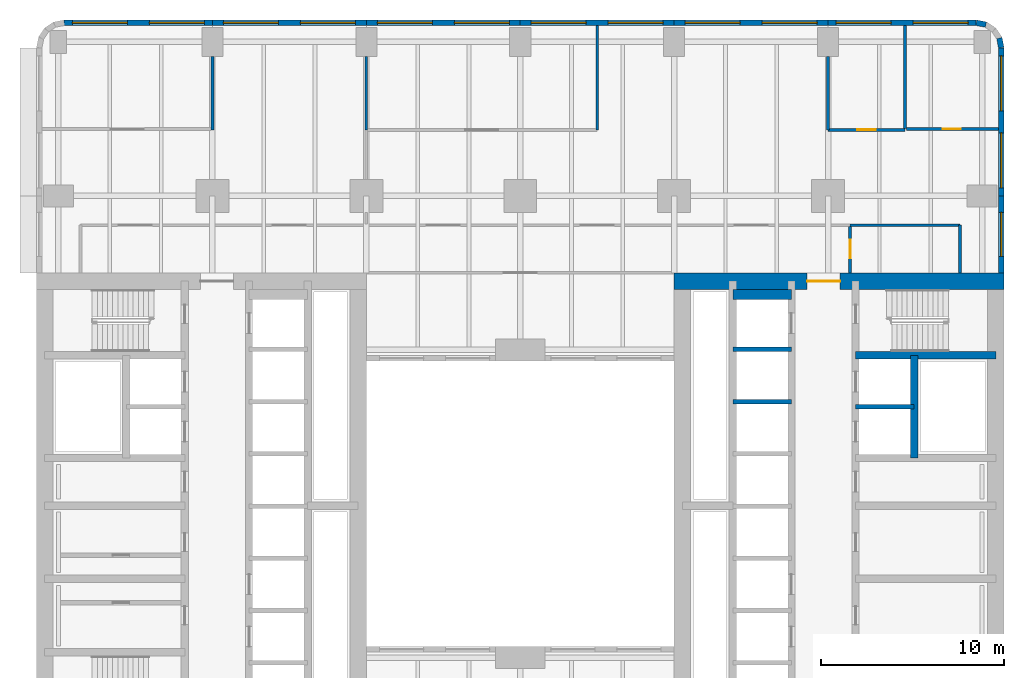
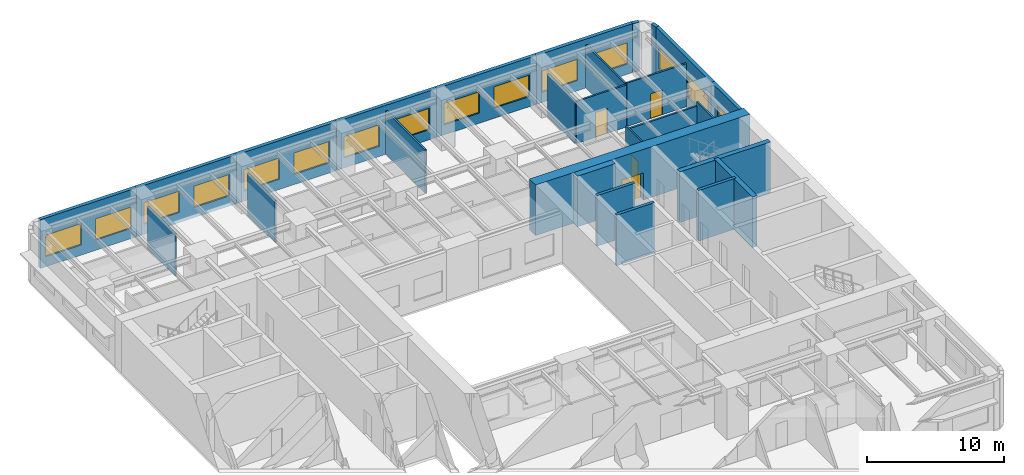
# One storey, part 7 of 12: 27 walls, 15 windows, 4 doors, 19 openings.
"""IFC4 building model written with IfcOpenShell, lengths in metres."""

from ifc_helpers import new_model, si_unit, direction, frame, frame_2d, origin, place, context, subcontext, project, spatial, rectangle, extrude, material, layer, layer_set, type_object, element, fill, save


model = new_model("IFC4")

# Units and contexts
model_context = context("Model", 3, precision=1e-05, world=origin(), true_north=direction((0.0, 1.0)))
body_context = subcontext(model_context, "Body", "Model", "MODEL_VIEW")
ifc_project = project(units=[si_unit("LENGTHUNIT", "METRE"), si_unit("AREAUNIT", "SQUARE_METRE"), si_unit("VOLUMEUNIT", "CUBIC_METRE"), si_unit("PLANEANGLEUNIT", "RADIAN"), si_unit("MASSUNIT", "GRAM", prefix="KILO")], contexts=[model_context])

# Site, building, storey
site_placement = place(None, origin())
site = spatial("IfcSite", under=ifc_project, at=site_placement, CompositionType="ELEMENT")
building_placement = place(site_placement, origin())
building = spatial("IfcBuilding", under=site, at=building_placement, Name="Claustro Exchange Tower", CompositionType="ELEMENT")
storey_placement = place(building_placement, frame((0.0, 0.0, 68.39990234375)))
storey = spatial("IfcBuildingStorey", under=building, at=storey_placement, Name="L15", CompositionType="ELEMENT", Elevation=68.39990234375)

# Walls
ifc_material_1 = material(Name="Gypsum board on steel studs", Category="steel")
ifc_layer_1 = layer(ifc_material_1, 0.14990234375)
ifc_layer_set_1 = layer_set([ifc_layer_1], Name="Gypsum board on steel studs")
wall_type_1 = type_object("IfcWallType", Name="P1 150 plasterboard partition", PredefinedType="PARTITIONING", material=ifc_layer_set_1)
wall_1_placement = place(storey_placement, frame((8.39990234375, 45.60009765625, 0.0), z_axis=(0.0, 0.0, 1.0), x_axis=(0.0, 1.0, 0.0)))
element("IfcWall", 1, at=wall_1_placement, inside=storey, type_object=wall_type_1, Name="Partition P1 L15", PredefinedType="PARTITIONING", context=body_context, shape_type="SweptSolid", body=[
    extrude(rectangle(XDim=4.0009765625, YDim=0.14990234375, at=frame_2d((2.00048828125, 0.0))), origin(), (0.0, 0.0, 1.0), 3.739990234375),
])
wall_2_placement = place(storey_placement, frame((16.800048828125, 45.597900390625, 0.0), z_axis=(0.0, 0.0, 1.0), x_axis=(0.0, 1.0, 0.0)))
element("IfcWall", 2, at=wall_2_placement, inside=storey, type_object=wall_type_1, Name="Partition P1 L15", PredefinedType="PARTITIONING", context=body_context, shape_type="SweptSolid", body=[
    extrude(rectangle(XDim=4.003173828125, YDim=0.14990234375, at=frame_2d((2.00146484375, 0.0))), origin(), (0.0, 0.0, 1.0), 3.739990234375),
])
wall_3_placement = place(storey_placement, frame((29.39990234375, 45.60009765625, 0.0), z_axis=(0.0, 0.0, 1.0), x_axis=(0.0, 1.0, 0.0)))
element("IfcWall", 3, at=wall_3_placement, inside=storey, type_object=wall_type_1, Name="Partition P1 L15", PredefinedType="PARTITIONING", context=body_context, shape_type="SweptSolid", body=[
    extrude(rectangle(XDim=5.701904296875, YDim=0.14990234375, at=frame_2d((2.85107421875, 0.0))), origin(), (0.0, 0.0, 1.0), 3.840087890625),
])

# Wall, opening, door
wall_4_placement = place(storey_placement, frame((46.27392578125, 45.64990234375, 0.0), z_axis=(0.0, 0.0, 1.0), x_axis=(1.0, 0.0, 0.0)))
wall_4 = element("IfcWall", 4, at=wall_4_placement, inside=storey, type_object=wall_type_1, Name="Partition P1 L15", PredefinedType="PARTITIONING", context=body_context, shape_type="SweptSolid", body=[
    extrude(rectangle(XDim=5.028076171875, YDim=0.14990234375, at=frame_2d((2.51416015625, 0.0))), origin(), (0.0, 0.0, 1.0), 3.840087890625),
])
opening_1_placement = place(wall_4_placement, frame((1.97607421875, 0.0, 0.0)))
opening_1 = element("IfcOpeningElement", 5, at=opening_1_placement, cuts=wall_4, Name="Opening D1", PredefinedType="OPENING", context=body_context, shape_type="SweptSolid", body=[
    extrude(rectangle(XDim=1.0, YDim=2.199951171875, at=frame_2d((0.5, 1.10009765625))), frame((0.0, 0.0849609375, 0.0), z_axis=(0.0, -1.0, 0.0), x_axis=(1.0, 0.0, 0.0)), (0.0, 0.0, 1.0), 0.169921875),
])
ifc_material_2 = material(Name="Timber door, oak veneer", Category="wood")
door_type_1 = type_object("IfcDoorType", Name="D1 1000 x 2200 single door", OperationType="SINGLE_SWING_LEFT", PredefinedType="DOOR", material=ifc_material_2)
door_1_placement = place(opening_1_placement, origin())
door_1 = element("IfcDoor", 6, at=door_1_placement, inside=storey, type_object=door_type_1, Name="Door D1 L15", OperationType="SINGLE_SWING_LEFT", OverallHeight=2.199951171875, OverallWidth=1.0, PredefinedType="DOOR", context=body_context, shape_type="SweptSolid", body=[
    extrude(rectangle(XDim=1.0, YDim=2.199951171875, at=frame_2d((0.5, 1.10009765625))), frame((0.0, 0.02490234375, 0.0), z_axis=(0.0, -1.0, 0.0), x_axis=(1.0, 0.0, 0.0)), (0.0, 0.0, 1.0), 0.050048828125),
])
fill(opening_1, door_1)

wall_5_placement = place(storey_placement, frame((42.0, 45.60009765625, 0.0), z_axis=(0.0, 0.0, 1.0), x_axis=(1.0, 0.0, 0.0)))
wall_5 = element("IfcWall", 7, at=wall_5_placement, inside=storey, type_object=wall_type_1, Name="Partition P1 L15", PredefinedType="PARTITIONING", context=body_context, shape_type="SweptSolid", body=[
    extrude(rectangle(XDim=4.201904296875, YDim=0.14990234375, at=frame_2d((2.10107421875, 0.0))), origin(), (0.0, 0.0, 1.0), 3.739990234375),
])
opening_2_placement = place(wall_5_placement, frame((1.60009765625, 0.0, 0.0)))
opening_2 = element("IfcOpeningElement", 8, at=opening_2_placement, cuts=wall_5, Name="Opening D1", PredefinedType="OPENING", context=body_context, shape_type="SweptSolid", body=[
    extrude(rectangle(XDim=1.0, YDim=2.199951171875, at=frame_2d((0.5, 1.10009765625))), frame((0.0, 0.0849609375, 0.0), z_axis=(0.0, -1.0, 0.0), x_axis=(1.0, 0.0, 0.0)), (0.0, 0.0, 1.0), 0.169921875),
])
door_2_placement = place(opening_2_placement, origin())
door_2 = element("IfcDoor", 9, at=door_2_placement, inside=storey, type_object=door_type_1, Name="Door D1 L15", OperationType="SINGLE_SWING_LEFT", OverallHeight=2.199951171875, OverallWidth=1.0, PredefinedType="DOOR", context=body_context, shape_type="SweptSolid", body=[
    extrude(rectangle(XDim=1.0, YDim=2.199951171875, at=frame_2d((0.5, 1.10009765625))), frame((0.0, 0.02490234375, 0.0), z_axis=(0.0, -1.0, 0.0), x_axis=(1.0, 0.0, 0.0)), (0.0, 0.0, 1.0), 0.050048828125),
])
fill(opening_2, door_2)

# Walls
wall_6_placement = place(storey_placement, frame((42.0, 45.60009765625, 0.0), z_axis=(0.0, 0.0, 1.0), x_axis=(0.0, 1.0, 0.0)))
element("IfcWall", 10, at=wall_6_placement, inside=storey, type_object=wall_type_1, Name="Partition P1 L15", PredefinedType="PARTITIONING", context=body_context, shape_type="SweptSolid", body=[
    extrude(rectangle(XDim=4.0009765625, YDim=0.14990234375, at=frame_2d((2.00048828125, 0.0))), origin(), (0.0, 0.0, 1.0), 3.739990234375),
])
wall_7_placement = place(storey_placement, frame((46.199951171875, 45.674072265625, 0.0), z_axis=(0.0, 0.0, 1.0), x_axis=(0.0, 1.0, 0.0)))
element("IfcWall", 11, at=wall_7_placement, inside=storey, type_object=wall_type_1, Name="Partition P1 L15", PredefinedType="PARTITIONING", context=body_context, shape_type="SweptSolid", body=[
    extrude(rectangle(XDim=5.6279296875, YDim=0.14990234375, at=frame_2d((2.81396484375, 0.0))), origin(), (0.0, 0.0, 1.0), 3.840087890625),
])

# Wall, opening, door
wall_8_placement = place(storey_placement, frame((43.199951171875, 37.800048828125, 0.0), z_axis=(0.0, 0.0, 1.0), x_axis=(0.0, 1.0, 0.0)))
wall_8 = element("IfcWall", 12, at=wall_8_placement, inside=storey, type_object=wall_type_1, Name="Partition P1 L15", PredefinedType="PARTITIONING", context=body_context, shape_type="SweptSolid", body=[
    extrude(rectangle(XDim=2.52587890625, YDim=0.14990234375, at=frame_2d((1.262939453125, 0.0))), origin(), (0.0, 0.0, 1.0), 4.340087890625),
])
opening_3_placement = place(wall_8_placement, frame((0.800048828125, 0.0, 0.0)))
opening_3 = element("IfcOpeningElement", 13, at=opening_3_placement, cuts=wall_8, Name="Opening D1", PredefinedType="OPENING", context=body_context, shape_type="SweptSolid", body=[
    extrude(rectangle(XDim=1.0, YDim=2.199951171875, at=frame_2d((0.5, 1.10009765625))), frame((0.0, 0.0849609375, 0.0), z_axis=(0.0, -1.0, 0.0), x_axis=(1.0, 0.0, 0.0)), (0.0, 0.0, 1.0), 0.169921875),
])
door_3_placement = place(opening_3_placement, frame((1.0, 0.0, 0.0), z_axis=(0.0, 0.0, 1.0), x_axis=(-1.0, 0.0, 0.0)))
door_3 = element("IfcDoor", 14, at=door_3_placement, inside=storey, type_object=door_type_1, Name="Door D1 L15", OperationType="SINGLE_SWING_RIGHT", OverallHeight=2.199951171875, OverallWidth=1.0, PredefinedType="DOOR", context=body_context, shape_type="SweptSolid", body=[
    extrude(rectangle(XDim=1.0, YDim=2.199951171875, at=frame_2d((0.5, 1.10009765625))), frame((0.0, 0.02490234375, 0.0), z_axis=(0.0, -1.0, 0.0), x_axis=(1.0, 0.0, 0.0)), (0.0, 0.0, 1.0), 0.050048828125),
])
fill(opening_3, door_3)

# Walls
wall_9_placement = place(storey_placement, frame((43.197998046875, 40.39990234375, 0.0), z_axis=(0.0, 0.0, 1.0), x_axis=(1.0, 0.0, 0.0)))
element("IfcWall", 15, at=wall_9_placement, inside=storey, type_object=wall_type_1, Name="Partition P1 L15", PredefinedType="PARTITIONING", context=body_context, shape_type="SweptSolid", body=[
    extrude(rectangle(XDim=6.001953125, YDim=0.14990234375, at=frame_2d((3.0009765625, 0.0))), origin(), (0.0, 0.0, 1.0), 3.97998046875),
])
wall_10_placement = place(storey_placement, frame((49.199951171875, 37.800048828125, 0.0), z_axis=(0.0, 0.0, 1.0), x_axis=(0.0, 1.0, 0.0)))
element("IfcWall", 16, at=wall_10_placement, inside=storey, type_object=wall_type_1, Name="Partition P1 L15", PredefinedType="PARTITIONING", context=body_context, shape_type="SweptSolid", body=[
    extrude(rectangle(XDim=2.599853515625, YDim=0.14990234375, at=frame_2d((1.2998046875, 0.0))), origin(), (0.0, 0.0, 1.0), 4.340087890625),
])

# Wall, openings, windows
ifc_material_3 = material(Name="Concrete HA-40 (C40/50), precast, white cement, acid-etched", Category="concrete")
ifc_layer_2 = layer(ifc_material_3, 0.300048828125)
ifc_layer_set_2 = layer_set([ifc_layer_2], Name="Concrete HA-40 (C40/50), precast, white cement, acid-etched")
wall_type_2 = type_object("IfcWallType", Name="PC1 300 precast concrete pier panel", PredefinedType="SOLIDWALL", material=ifc_layer_set_2)
wall_11_placement = place(storey_placement, frame((0.314697265625, 51.449951171875, 0.0), z_axis=(0.0, 0.0, 1.0), x_axis=(1.0, 0.0, 0.0)))
wall_11 = element("IfcWall", 17, at=wall_11_placement, inside=storey, type_object=wall_type_2, Name="Precast pier panel PC1 L15", PredefinedType="SOLIDWALL", context=body_context, shape_type="SweptSolid", body=[
    extrude(rectangle(XDim=8.085205078125, YDim=0.300048828125, at=frame_2d((4.04248046875, 0.0))), origin(), (0.0, 0.0, 1.0), 4.340087890625),
])
opening_4_placement = place(wall_11_placement, frame((0.442626953125, 0.0, 0.89990234375)))
opening_4 = element("IfcOpeningElement", 18, at=opening_4_placement, cuts=wall_11, Name="Opening W1", PredefinedType="OPENING", context=body_context, shape_type="SweptSolid", body=[
    extrude(rectangle(XDim=3.0, YDim=1.89990234375, at=frame_2d((1.5, 0.949951171875))), frame((0.0, 0.159912109375, 0.0), z_axis=(0.0, -1.0, 0.0), x_axis=(1.0, 0.0, 0.0)), (0.0, 0.0, 1.0), 0.320068359375),
])
opening_5_placement = place(wall_11_placement, frame((4.642578125, 0.0, 0.89990234375)))
opening_5 = element("IfcOpeningElement", 19, at=opening_5_placement, cuts=wall_11, Name="Opening W1", PredefinedType="OPENING", context=body_context, shape_type="SweptSolid", body=[
    extrude(rectangle(XDim=3.0, YDim=1.89990234375, at=frame_2d((1.5, 0.949951171875))), frame((0.0, 0.159912109375, 0.0), z_axis=(0.0, -1.0, 0.0), x_axis=(1.0, 0.0, 0.0)), (0.0, 0.0, 1.0), 0.320068359375),
])
ifc_material_4 = material(Name="Aluminium frame, clear double glazing", Category="aluminium")
window_type_1 = type_object("IfcWindowType", Name="W1 3000 x 1900 window", PartitioningType="SINGLE_PANEL", PredefinedType="WINDOW", material=ifc_material_4)
window_1_placement = place(opening_4_placement, origin())
window_1 = element("IfcWindow", 20, at=window_1_placement, inside=storey, type_object=window_type_1, Name="Window W1 L15", OverallHeight=1.89990234375, OverallWidth=3.0, PartitioningType="SINGLE_PANEL", PredefinedType="WINDOW", context=body_context, shape_type="SweptSolid", body=[
    extrude(rectangle(XDim=3.0, YDim=1.89990234375, at=frame_2d((1.5, 0.949951171875))), frame((0.0, 0.030029296875, 0.0), z_axis=(0.0, -1.0, 0.0), x_axis=(1.0, 0.0, 0.0)), (0.0, 0.0, 1.0), 0.06005859375),
])
fill(opening_4, window_1)
window_2_placement = place(opening_5_placement, origin())
window_2 = element("IfcWindow", 21, at=window_2_placement, inside=storey, type_object=window_type_1, Name="Window W1 L15", OverallHeight=1.89990234375, OverallWidth=3.0, PartitioningType="SINGLE_PANEL", PredefinedType="WINDOW", context=body_context, shape_type="SweptSolid", body=[
    extrude(rectangle(XDim=3.0, YDim=1.89990234375, at=frame_2d((1.5, 0.949951171875))), frame((0.0, 0.030029296875, 0.0), z_axis=(0.0, -1.0, 0.0), x_axis=(1.0, 0.0, 0.0)), (0.0, 0.0, 1.0), 0.06005859375),
])
fill(opening_5, window_2)

wall_12_placement = place(storey_placement, frame((8.39990234375, 51.449951171875, 0.0), z_axis=(0.0, 0.0, 1.0), x_axis=(1.0, 0.0, 0.0)))
wall_12 = element("IfcWall", 22, at=wall_12_placement, inside=storey, type_object=wall_type_2, Name="Precast pier panel PC1 L15", PredefinedType="SOLIDWALL", context=body_context, shape_type="SweptSolid", body=[
    extrude(rectangle(XDim=8.400146484375, YDim=0.300048828125, at=frame_2d((4.2001953125, 0.0))), origin(), (0.0, 0.0, 1.0), 4.340087890625),
])
opening_6_placement = place(wall_12_placement, frame((0.60009765625, 0.0, 0.89990234375)))
opening_6 = element("IfcOpeningElement", 23, at=opening_6_placement, cuts=wall_12, Name="Opening W1", PredefinedType="OPENING", context=body_context, shape_type="SweptSolid", body=[
    extrude(rectangle(XDim=3.0, YDim=1.89990234375, at=frame_2d((1.5, 0.949951171875))), frame((0.0, 0.159912109375, 0.0), z_axis=(0.0, -1.0, 0.0), x_axis=(1.0, 0.0, 0.0)), (0.0, 0.0, 1.0), 0.320068359375),
])
opening_7_placement = place(wall_12_placement, frame((4.800048828125, 0.0, 0.89990234375)))
opening_7 = element("IfcOpeningElement", 24, at=opening_7_placement, cuts=wall_12, Name="Opening W1", PredefinedType="OPENING", context=body_context, shape_type="SweptSolid", body=[
    extrude(rectangle(XDim=3.0, YDim=1.89990234375, at=frame_2d((1.5, 0.949951171875))), frame((0.0, 0.159912109375, 0.0), z_axis=(0.0, -1.0, 0.0), x_axis=(1.0, 0.0, 0.0)), (0.0, 0.0, 1.0), 0.320068359375),
])
window_3_placement = place(opening_6_placement, origin())
window_3 = element("IfcWindow", 25, at=window_3_placement, inside=storey, type_object=window_type_1, Name="Window W1 L15", OverallHeight=1.89990234375, OverallWidth=3.0, PartitioningType="SINGLE_PANEL", PredefinedType="WINDOW", context=body_context, shape_type="SweptSolid", body=[
    extrude(rectangle(XDim=3.0, YDim=1.89990234375, at=frame_2d((1.5, 0.949951171875))), frame((0.0, 0.030029296875, 0.0), z_axis=(0.0, -1.0, 0.0), x_axis=(1.0, 0.0, 0.0)), (0.0, 0.0, 1.0), 0.06005859375),
])
fill(opening_6, window_3)
window_4_placement = place(opening_7_placement, origin())
window_4 = element("IfcWindow", 26, at=window_4_placement, inside=storey, type_object=window_type_1, Name="Window W1 L15", OverallHeight=1.89990234375, OverallWidth=3.0, PartitioningType="SINGLE_PANEL", PredefinedType="WINDOW", context=body_context, shape_type="SweptSolid", body=[
    extrude(rectangle(XDim=3.0, YDim=1.89990234375, at=frame_2d((1.5, 0.949951171875))), frame((0.0, 0.030029296875, 0.0), z_axis=(0.0, -1.0, 0.0), x_axis=(1.0, 0.0, 0.0)), (0.0, 0.0, 1.0), 0.06005859375),
])
fill(opening_7, window_4)

wall_13_placement = place(storey_placement, frame((16.800048828125, 51.449951171875, 0.0), z_axis=(0.0, 0.0, 1.0), x_axis=(1.0, 0.0, 0.0)))
wall_13 = element("IfcWall", 27, at=wall_13_placement, inside=storey, type_object=wall_type_2, Name="Precast pier panel PC1 L15", PredefinedType="SOLIDWALL", context=body_context, shape_type="SweptSolid", body=[
    extrude(rectangle(XDim=8.39990234375, YDim=0.300048828125, at=frame_2d((4.199951171875, 0.0))), origin(), (0.0, 0.0, 1.0), 4.340087890625),
])
opening_8_placement = place(wall_13_placement, frame((0.60009765625, 0.0, 0.89990234375)))
opening_8 = element("IfcOpeningElement", 28, at=opening_8_placement, cuts=wall_13, Name="Opening W1", PredefinedType="OPENING", context=body_context, shape_type="SweptSolid", body=[
    extrude(rectangle(XDim=3.0, YDim=1.89990234375, at=frame_2d((1.5, 0.949951171875))), frame((0.0, 0.159912109375, 0.0), z_axis=(0.0, -1.0, 0.0), x_axis=(1.0, 0.0, 0.0)), (0.0, 0.0, 1.0), 0.320068359375),
])
opening_9_placement = place(wall_13_placement, frame((4.800048828125, 0.0, 0.89990234375)))
opening_9 = element("IfcOpeningElement", 29, at=opening_9_placement, cuts=wall_13, Name="Opening W1", PredefinedType="OPENING", context=body_context, shape_type="SweptSolid", body=[
    extrude(rectangle(XDim=3.0, YDim=1.89990234375, at=frame_2d((1.5, 0.949951171875))), frame((0.0, 0.159912109375, 0.0), z_axis=(0.0, -1.0, 0.0), x_axis=(1.0, 0.0, 0.0)), (0.0, 0.0, 1.0), 0.320068359375),
])
window_5_placement = place(opening_8_placement, origin())
window_5 = element("IfcWindow", 30, at=window_5_placement, inside=storey, type_object=window_type_1, Name="Window W1 L15", OverallHeight=1.89990234375, OverallWidth=3.0, PartitioningType="SINGLE_PANEL", PredefinedType="WINDOW", context=body_context, shape_type="SweptSolid", body=[
    extrude(rectangle(XDim=3.0, YDim=1.89990234375, at=frame_2d((1.5, 0.949951171875))), frame((0.0, 0.030029296875, 0.0), z_axis=(0.0, -1.0, 0.0), x_axis=(1.0, 0.0, 0.0)), (0.0, 0.0, 1.0), 0.06005859375),
])
fill(opening_8, window_5)
window_6_placement = place(opening_9_placement, origin())
window_6 = element("IfcWindow", 31, at=window_6_placement, inside=storey, type_object=window_type_1, Name="Window W1 L15", OverallHeight=1.89990234375, OverallWidth=3.0, PartitioningType="SINGLE_PANEL", PredefinedType="WINDOW", context=body_context, shape_type="SweptSolid", body=[
    extrude(rectangle(XDim=3.0, YDim=1.89990234375, at=frame_2d((1.5, 0.949951171875))), frame((0.0, 0.030029296875, 0.0), z_axis=(0.0, -1.0, 0.0), x_axis=(1.0, 0.0, 0.0)), (0.0, 0.0, 1.0), 0.06005859375),
])
fill(opening_9, window_6)

wall_14_placement = place(storey_placement, frame((25.199951171875, 51.449951171875, 0.0), z_axis=(0.0, 0.0, 1.0), x_axis=(1.0, 0.0, 0.0)))
wall_14 = element("IfcWall", 32, at=wall_14_placement, inside=storey, type_object=wall_type_2, Name="Precast pier panel PC1 L15", PredefinedType="SOLIDWALL", context=body_context, shape_type="SweptSolid", body=[
    extrude(rectangle(XDim=8.400146484375, YDim=0.300048828125, at=frame_2d((4.2001953125, 0.0))), origin(), (0.0, 0.0, 1.0), 4.340087890625),
])
opening_10_placement = place(wall_14_placement, frame((0.60009765625, 0.0, 0.89990234375)))
opening_10 = element("IfcOpeningElement", 33, at=opening_10_placement, cuts=wall_14, Name="Opening W1", PredefinedType="OPENING", context=body_context, shape_type="SweptSolid", body=[
    extrude(rectangle(XDim=3.0, YDim=1.89990234375, at=frame_2d((1.5, 0.949951171875))), frame((0.0, 0.159912109375, 0.0), z_axis=(0.0, -1.0, 0.0), x_axis=(1.0, 0.0, 0.0)), (0.0, 0.0, 1.0), 0.320068359375),
])
opening_11_placement = place(wall_14_placement, frame((4.800048828125, 0.0, 0.89990234375)))
opening_11 = element("IfcOpeningElement", 34, at=opening_11_placement, cuts=wall_14, Name="Opening W1", PredefinedType="OPENING", context=body_context, shape_type="SweptSolid", body=[
    extrude(rectangle(XDim=3.0, YDim=1.89990234375, at=frame_2d((1.5, 0.949951171875))), frame((0.0, 0.159912109375, 0.0), z_axis=(0.0, -1.0, 0.0), x_axis=(1.0, 0.0, 0.0)), (0.0, 0.0, 1.0), 0.320068359375),
])
window_7_placement = place(opening_10_placement, origin())
window_7 = element("IfcWindow", 35, at=window_7_placement, inside=storey, type_object=window_type_1, Name="Window W1 L15", OverallHeight=1.89990234375, OverallWidth=3.0, PartitioningType="SINGLE_PANEL", PredefinedType="WINDOW", context=body_context, shape_type="SweptSolid", body=[
    extrude(rectangle(XDim=3.0, YDim=1.89990234375, at=frame_2d((1.5, 0.949951171875))), frame((0.0, 0.030029296875, 0.0), z_axis=(0.0, -1.0, 0.0), x_axis=(1.0, 0.0, 0.0)), (0.0, 0.0, 1.0), 0.06005859375),
])
fill(opening_10, window_7)
window_8_placement = place(opening_11_placement, origin())
window_8 = element("IfcWindow", 36, at=window_8_placement, inside=storey, type_object=window_type_1, Name="Window W1 L15", OverallHeight=1.89990234375, OverallWidth=3.0, PartitioningType="SINGLE_PANEL", PredefinedType="WINDOW", context=body_context, shape_type="SweptSolid", body=[
    extrude(rectangle(XDim=3.0, YDim=1.89990234375, at=frame_2d((1.5, 0.949951171875))), frame((0.0, 0.030029296875, 0.0), z_axis=(0.0, -1.0, 0.0), x_axis=(1.0, 0.0, 0.0)), (0.0, 0.0, 1.0), 0.06005859375),
])
fill(opening_11, window_8)

wall_15_placement = place(storey_placement, frame((33.60009765625, 51.449951171875, 0.0), z_axis=(0.0, 0.0, 1.0), x_axis=(1.0, 0.0, 0.0)))
wall_15 = element("IfcWall", 37, at=wall_15_placement, inside=storey, type_object=wall_type_2, Name="Precast pier panel PC1 L15", PredefinedType="SOLIDWALL", context=body_context, shape_type="SweptSolid", body=[
    extrude(rectangle(XDim=8.39990234375, YDim=0.300048828125, at=frame_2d((4.199951171875, 0.0))), origin(), (0.0, 0.0, 1.0), 4.340087890625),
])
opening_12_placement = place(wall_15_placement, frame((0.60009765625, 0.0, 0.89990234375)))
opening_12 = element("IfcOpeningElement", 38, at=opening_12_placement, cuts=wall_15, Name="Opening W1", PredefinedType="OPENING", context=body_context, shape_type="SweptSolid", body=[
    extrude(rectangle(XDim=3.0, YDim=1.89990234375, at=frame_2d((1.5, 0.949951171875))), frame((0.0, 0.159912109375, 0.0), z_axis=(0.0, -1.0, 0.0), x_axis=(1.0, 0.0, 0.0)), (0.0, 0.0, 1.0), 0.320068359375),
])
opening_13_placement = place(wall_15_placement, frame((4.800048828125, 0.0, 0.89990234375)))
opening_13 = element("IfcOpeningElement", 39, at=opening_13_placement, cuts=wall_15, Name="Opening W1", PredefinedType="OPENING", context=body_context, shape_type="SweptSolid", body=[
    extrude(rectangle(XDim=3.0, YDim=1.89990234375, at=frame_2d((1.5, 0.949951171875))), frame((0.0, 0.159912109375, 0.0), z_axis=(0.0, -1.0, 0.0), x_axis=(1.0, 0.0, 0.0)), (0.0, 0.0, 1.0), 0.320068359375),
])
window_9_placement = place(opening_12_placement, origin())
window_9 = element("IfcWindow", 40, at=window_9_placement, inside=storey, type_object=window_type_1, Name="Window W1 L15", OverallHeight=1.89990234375, OverallWidth=3.0, PartitioningType="SINGLE_PANEL", PredefinedType="WINDOW", context=body_context, shape_type="SweptSolid", body=[
    extrude(rectangle(XDim=3.0, YDim=1.89990234375, at=frame_2d((1.5, 0.949951171875))), frame((0.0, 0.030029296875, 0.0), z_axis=(0.0, -1.0, 0.0), x_axis=(1.0, 0.0, 0.0)), (0.0, 0.0, 1.0), 0.06005859375),
])
fill(opening_12, window_9)
window_10_placement = place(opening_13_placement, origin())
window_10 = element("IfcWindow", 41, at=window_10_placement, inside=storey, type_object=window_type_1, Name="Window W1 L15", OverallHeight=1.89990234375, OverallWidth=3.0, PartitioningType="SINGLE_PANEL", PredefinedType="WINDOW", context=body_context, shape_type="SweptSolid", body=[
    extrude(rectangle(XDim=3.0, YDim=1.89990234375, at=frame_2d((1.5, 0.949951171875))), frame((0.0, 0.030029296875, 0.0), z_axis=(0.0, -1.0, 0.0), x_axis=(1.0, 0.0, 0.0)), (0.0, 0.0, 1.0), 0.06005859375),
])
fill(opening_13, window_10)

wall_16_placement = place(storey_placement, frame((42.0, 51.449951171875, 0.0), z_axis=(0.0, 0.0, 1.0), x_axis=(1.0, 0.0, 0.0)))
wall_16 = element("IfcWall", 42, at=wall_16_placement, inside=storey, type_object=wall_type_2, Name="Precast pier panel PC1 L15", PredefinedType="SOLIDWALL", context=body_context, shape_type="SweptSolid", body=[
    extrude(rectangle(XDim=8.085205078125, YDim=0.300048828125, at=frame_2d((4.04248046875, 0.0))), origin(), (0.0, 0.0, 1.0), 4.340087890625),
])
opening_14_placement = place(wall_16_placement, frame((0.442626953125, 0.0, 0.89990234375)))
opening_14 = element("IfcOpeningElement", 43, at=opening_14_placement, cuts=wall_16, Name="Opening W1", PredefinedType="OPENING", context=body_context, shape_type="SweptSolid", body=[
    extrude(rectangle(XDim=3.0, YDim=1.89990234375, at=frame_2d((1.5, 0.949951171875))), frame((0.0, 0.159912109375, 0.0), z_axis=(0.0, -1.0, 0.0), x_axis=(1.0, 0.0, 0.0)), (0.0, 0.0, 1.0), 0.320068359375),
])
opening_15_placement = place(wall_16_placement, frame((4.642578125, 0.0, 0.89990234375)))
opening_15 = element("IfcOpeningElement", 44, at=opening_15_placement, cuts=wall_16, Name="Opening W1", PredefinedType="OPENING", context=body_context, shape_type="SweptSolid", body=[
    extrude(rectangle(XDim=3.0, YDim=1.89990234375, at=frame_2d((1.5, 0.949951171875))), frame((0.0, 0.159912109375, 0.0), z_axis=(0.0, -1.0, 0.0), x_axis=(1.0, 0.0, 0.0)), (0.0, 0.0, 1.0), 0.320068359375),
])
window_11_placement = place(opening_14_placement, origin())
window_11 = element("IfcWindow", 45, at=window_11_placement, inside=storey, type_object=window_type_1, Name="Window W1 L15", OverallHeight=1.89990234375, OverallWidth=3.0, PartitioningType="SINGLE_PANEL", PredefinedType="WINDOW", context=body_context, shape_type="SweptSolid", body=[
    extrude(rectangle(XDim=3.0, YDim=1.89990234375, at=frame_2d((1.5, 0.949951171875))), frame((0.0, 0.030029296875, 0.0), z_axis=(0.0, -1.0, 0.0), x_axis=(1.0, 0.0, 0.0)), (0.0, 0.0, 1.0), 0.06005859375),
])
fill(opening_14, window_11)
window_12_placement = place(opening_15_placement, origin())
window_12 = element("IfcWindow", 46, at=window_12_placement, inside=storey, type_object=window_type_1, Name="Window W1 L15", OverallHeight=1.89990234375, OverallWidth=3.0, PartitioningType="SINGLE_PANEL", PredefinedType="WINDOW", context=body_context, shape_type="SweptSolid", body=[
    extrude(rectangle(XDim=3.0, YDim=1.89990234375, at=frame_2d((1.5, 0.949951171875))), frame((0.0, 0.030029296875, 0.0), z_axis=(0.0, -1.0, 0.0), x_axis=(1.0, 0.0, 0.0)), (0.0, 0.0, 1.0), 0.06005859375),
])
fill(opening_15, window_12)

# Walls
for number, where, z_axis, x_axis, name in (
    (47, (50.085205078125, 51.449951171875, 0.0), (0.0, 0.0, 1.0), (0.980788534345, -0.195073962632, 0.0), "Precast pier panel PC1 L15"),
    (48, (51.344482421875, 50.615478515625, 0.0), (0.0, 0.0, 1.0), (0.195073962632, -0.980788534345, 0.0), "Precast pier panel PC1 L15"),
):
    element("IfcWall", number, at=place(storey_placement, frame(where, z_axis=z_axis, x_axis=x_axis)), inside=storey, type_object=wall_type_2, Name=name, PredefinedType="SOLIDWALL", context=body_context, shape_type="SweptSolid", body=[
        extrude(rectangle(XDim=0.540771484375, YDim=0.300048828125, at=frame_2d((0.2705078125, 0.0))), origin(), (0.0, 0.0, 1.0), 4.340087890625),
    ])

# Wall, openings, windows
wall_17_placement = place(storey_placement, frame((51.449951171875, 50.085205078125, 0.0), z_axis=(0.0, 0.0, 1.0), x_axis=(0.0, -1.0, 0.0)))
wall_17 = element("IfcWall", 49, at=wall_17_placement, inside=storey, type_object=wall_type_2, Name="Precast pier panel PC1 L15", PredefinedType="SOLIDWALL", context=body_context, shape_type="SweptSolid", body=[
    extrude(rectangle(XDim=8.085205078125, YDim=0.300048828125, at=frame_2d((4.04248046875, 0.0))), origin(), (0.0, 0.0, 1.0), 4.340087890625),
])
opening_16_placement = place(wall_17_placement, frame((0.442626953125, 0.0, 0.89990234375)))
opening_16 = element("IfcOpeningElement", 50, at=opening_16_placement, cuts=wall_17, Name="Opening W1", PredefinedType="OPENING", context=body_context, shape_type="SweptSolid", body=[
    extrude(rectangle(XDim=3.0, YDim=1.89990234375, at=frame_2d((1.5, 0.949951171875))), frame((0.0, 0.159912109375, 0.0), z_axis=(0.0, -1.0, 0.0), x_axis=(1.0, 0.0, 0.0)), (0.0, 0.0, 1.0), 0.320068359375),
])
opening_17_placement = place(wall_17_placement, frame((4.642578125, 0.0, 0.89990234375)))
opening_17 = element("IfcOpeningElement", 51, at=opening_17_placement, cuts=wall_17, Name="Opening W1", PredefinedType="OPENING", context=body_context, shape_type="SweptSolid", body=[
    extrude(rectangle(XDim=3.0, YDim=1.89990234375, at=frame_2d((1.5, 0.949951171875))), frame((0.0, 0.159912109375, 0.0), z_axis=(0.0, -1.0, 0.0), x_axis=(1.0, 0.0, 0.0)), (0.0, 0.0, 1.0), 0.320068359375),
])
window_13_placement = place(opening_16_placement, origin())
window_13 = element("IfcWindow", 52, at=window_13_placement, inside=storey, type_object=window_type_1, Name="Window W1 L15", OverallHeight=1.89990234375, OverallWidth=3.0, PartitioningType="SINGLE_PANEL", PredefinedType="WINDOW", context=body_context, shape_type="SweptSolid", body=[
    extrude(rectangle(XDim=3.0, YDim=1.89990234375, at=frame_2d((1.5, 0.949951171875))), frame((0.0, 0.030029296875, 0.0), z_axis=(0.0, -1.0, 0.0), x_axis=(1.0, 0.0, 0.0)), (0.0, 0.0, 1.0), 0.06005859375),
])
fill(opening_16, window_13)
window_14_placement = place(opening_17_placement, origin())
window_14 = element("IfcWindow", 53, at=window_14_placement, inside=storey, type_object=window_type_1, Name="Window W1 L15", OverallHeight=1.89990234375, OverallWidth=3.0, PartitioningType="SINGLE_PANEL", PredefinedType="WINDOW", context=body_context, shape_type="SweptSolid", body=[
    extrude(rectangle(XDim=3.0, YDim=1.89990234375, at=frame_2d((1.5, 0.949951171875))), frame((0.0, 0.030029296875, 0.0), z_axis=(0.0, -1.0, 0.0), x_axis=(1.0, 0.0, 0.0)), (0.0, 0.0, 1.0), 0.06005859375),
])
fill(opening_17, window_14)

# Wall, opening, window
wall_18_placement = place(storey_placement, frame((51.449951171875, 42.0, 0.0), z_axis=(0.0, 0.0, 1.0), x_axis=(0.0, -1.0, 0.0)))
wall_18 = element("IfcWall", 54, at=wall_18_placement, inside=storey, type_object=wall_type_2, Name="Precast pier panel PC1 L15", PredefinedType="SOLIDWALL", context=body_context, shape_type="SweptSolid", body=[
    extrude(rectangle(XDim=4.199951171875, YDim=0.300048828125, at=frame_2d((2.10009765625, 0.0))), origin(), (0.0, 0.0, 1.0), 4.340087890625),
])
opening_18_placement = place(wall_18_placement, frame((0.89990234375, 0.0, 0.89990234375)))
opening_18 = element("IfcOpeningElement", 55, at=opening_18_placement, cuts=wall_18, Name="Opening W2", PredefinedType="OPENING", context=body_context, shape_type="SweptSolid", body=[
    extrude(rectangle(XDim=2.39990234375, YDim=1.89990234375, at=frame_2d((1.199951171875, 0.949951171875))), frame((0.0, 0.159912109375, 0.0), z_axis=(0.0, -1.0, 0.0), x_axis=(1.0, 0.0, 0.0)), (0.0, 0.0, 1.0), 0.320068359375),
])
ifc_material_5 = material(Name="Aluminium frame, clear double glazing", Category="aluminium")
window_type_2 = type_object("IfcWindowType", Name="W2 2400 x 1900 window", PartitioningType="SINGLE_PANEL", PredefinedType="WINDOW", material=ifc_material_5)
window_15_placement = place(opening_18_placement, origin())
window_15 = element("IfcWindow", 56, at=window_15_placement, inside=storey, type_object=window_type_2, Name="Window W2 L15", OverallHeight=1.89990234375, OverallWidth=2.39990234375, PartitioningType="SINGLE_PANEL", PredefinedType="WINDOW", context=body_context, shape_type="SweptSolid", body=[
    extrude(rectangle(XDim=2.39990234375, YDim=1.89990234375, at=frame_2d((1.199951171875, 0.949951171875))), frame((0.0, 0.030029296875, 0.0), z_axis=(0.0, -1.0, 0.0), x_axis=(1.0, 0.0, 0.0)), (0.0, 0.0, 1.0), 0.06005859375),
])
fill(opening_18, window_15)

# Wall, opening, door
ifc_material_6 = material(Name="Concrete HA-70 (C70/85)", Category="concrete")
ifc_layer_3 = layer(ifc_material_6, 0.89990234375)
ifc_layer_set_3 = layer_set([ifc_layer_3], Name="Concrete HA-70 (C70/85)")
wall_type_3 = type_object("IfcWallType", Name="SW1 900 core shear wall", PredefinedType="SHEAR", material=ifc_layer_set_3)
wall_19_placement = place(storey_placement, frame((33.60009765625, 37.35009765625, 0.0), z_axis=(0.0, 0.0, 1.0), x_axis=(1.0, 0.0, 0.0)))
wall_19 = element("IfcWall", 57, at=wall_19_placement, inside=storey, type_object=wall_type_3, Name="Core wall SW1 E core N face L15", PredefinedType="SHEAR", context=body_context, shape_type="SweptSolid", body=[
    extrude(rectangle(XDim=18.0, YDim=0.89990234375, at=frame_2d((9.0, 0.0))), origin(), (0.0, 0.0, 1.0), 4.5),
])
opening_19_placement = place(wall_19_placement, frame((7.25, 0.0, 0.0)))
opening_19 = element("IfcOpeningElement", 58, at=opening_19_placement, cuts=wall_19, Name="Opening D3", PredefinedType="OPENING", context=body_context, shape_type="SweptSolid", body=[
    extrude(rectangle(XDim=1.800048828125, YDim=2.39990234375, at=frame_2d((0.89990234375, 1.199951171875))), frame((0.0, 0.4599609375, 0.0), z_axis=(0.0, -1.0, 0.0), x_axis=(1.0, 0.0, 0.0)), (0.0, 0.0, 1.0), 0.919921875),
])
ifc_material_7 = material(Name="Steel fire door, painted", Category="steel")
door_type_2 = type_object("IfcDoorType", Name="D3 1800 x 2400 fire-rated lobby double door", OperationType="DOUBLE_DOOR_SINGLE_SWING", PredefinedType="DOOR", material=ifc_material_7)
door_4_placement = place(opening_19_placement, frame((1.800048828125, 0.0, 0.0), z_axis=(0.0, 0.0, 1.0), x_axis=(-1.0, 0.0, 0.0)))
door_4 = element("IfcDoor", 59, at=door_4_placement, inside=storey, type_object=door_type_2, Name="Lift lobby door D3 L15", OperationType="DOUBLE_DOOR_SINGLE_SWING", OverallHeight=2.39990234375, OverallWidth=1.800048828125, PredefinedType="DOOR", context=body_context, shape_type="SweptSolid", body=[
    extrude(rectangle(XDim=1.800048828125, YDim=2.39990234375, at=frame_2d((0.89990234375, 1.199951171875))), frame((0.0, 0.02490234375, 0.0), z_axis=(0.0, -1.0, 0.0), x_axis=(1.0, 0.0, 0.0)), (0.0, 0.0, 1.0), 0.050048828125),
])
fill(opening_19, door_4)

# Walls
ifc_material_8 = material(Name="Concrete HA-50 (C50/60)", Category="concrete")
ifc_layer_4 = layer(ifc_material_8, 0.39990234375)
ifc_layer_set_4 = layer_set([ifc_layer_4], Name="Concrete HA-50 (C50/60)")
wall_type_4 = type_object("IfcWallType", Name="SW4 400 internal core wall", PredefinedType="SHEAR", material=ifc_layer_set_4)
wall_20_placement = place(storey_placement, frame((51.14990234375, 33.300048828125, 0.0), z_axis=(0.0, 0.0, 1.0), x_axis=(-1.0, 0.0, 0.0)))
element("IfcWall", 60, at=wall_20_placement, inside=storey, type_object=wall_type_4, Name="Internal core wall SW4 E core L15", PredefinedType="SHEAR", context=body_context, shape_type="SweptSolid", body=[
    extrude(rectangle(XDim=7.64990234375, YDim=0.39990234375, at=frame_2d((3.824951171875, 0.0))), origin(), (0.0, 0.0, 1.0), 4.5),
])
wall_21_placement = place(storey_placement, frame((46.699951171875, 27.699951171875, 0.0), z_axis=(0.0, 0.0, 1.0), x_axis=(0.0, 1.0, 0.0)))
element("IfcWall", 61, at=wall_21_placement, inside=storey, type_object=wall_type_4, Name="Internal core wall SW4 E core L15", PredefinedType="SHEAR", context=body_context, shape_type="SweptSolid", body=[
    extrude(rectangle(XDim=5.60009765625, YDim=0.39990234375, at=frame_2d((2.800048828125, 0.0))), origin(), (0.0, 0.0, 1.0), 4.5),
])
ifc_material_9 = material(Name="Concrete HA-50 (C50/60)", Category="concrete")
ifc_layer_5 = layer(ifc_material_9, 0.25)
ifc_layer_set_5 = layer_set([ifc_layer_5], Name="Concrete HA-50 (C50/60)")
wall_type_5 = type_object("IfcWallType", Name="SW5 250 lift shaft divider wall", PredefinedType="SHEAR", material=ifc_layer_set_5)
for number, where, z_axis, x_axis, name in (
    (62, (46.699951171875, 30.5, 0.0), (0.0, 0.0, 1.0), (-1.0, 0.0, 0.0), "Lift shaft wall E core L15"),
    (63, (40.0, 30.77490234375, 0.0), (0.0, 0.0, 1.0), (-1.0, 0.0, 0.0), "Lift shaft wall E core L15"),
    (64, (40.0, 33.625, 0.0), (0.0, 0.0, 1.0), (-1.0, 0.0, 0.0), "Lift shaft wall E core L15"),
):
    element("IfcWall", number, at=place(storey_placement, frame(where, z_axis=z_axis, x_axis=x_axis)), inside=storey, type_object=wall_type_5, Name=name, PredefinedType="SHEAR", context=body_context, shape_type="SweptSolid", body=[
        extrude(rectangle(XDim=3.199951171875, YDim=0.25, at=frame_2d((1.60009765625, 0.0))), origin(), (0.0, 0.0, 1.0), 4.5),
    ])
ifc_material_10 = material(Name="Concrete HA-50 (C50/60)", Category="concrete")
ifc_layer_6 = layer(ifc_material_10, 0.550048828125)
ifc_layer_set_6 = layer_set([ifc_layer_6], Name="Concrete HA-50 (C50/60)")
wall_type_6 = type_object("IfcWallType", Name="SW6 550 lift shaft end wall", PredefinedType="SHEAR", material=ifc_layer_set_6)
wall_22_placement = place(storey_placement, frame((40.0, 36.625, 0.0), z_axis=(0.0, 0.0, 1.0), x_axis=(-1.0, 0.0, 0.0)))
element("IfcWall", 65, at=wall_22_placement, inside=storey, type_object=wall_type_6, Name="Lift shaft wall E core L15", PredefinedType="SHEAR", context=body_context, shape_type="SweptSolid", body=[
    extrude(rectangle(XDim=3.199951171875, YDim=0.550048828125, at=frame_2d((1.60009765625, 0.0))), origin(), (0.0, 0.0, 1.0), 4.5),
])

save(model, "model.ifc")
